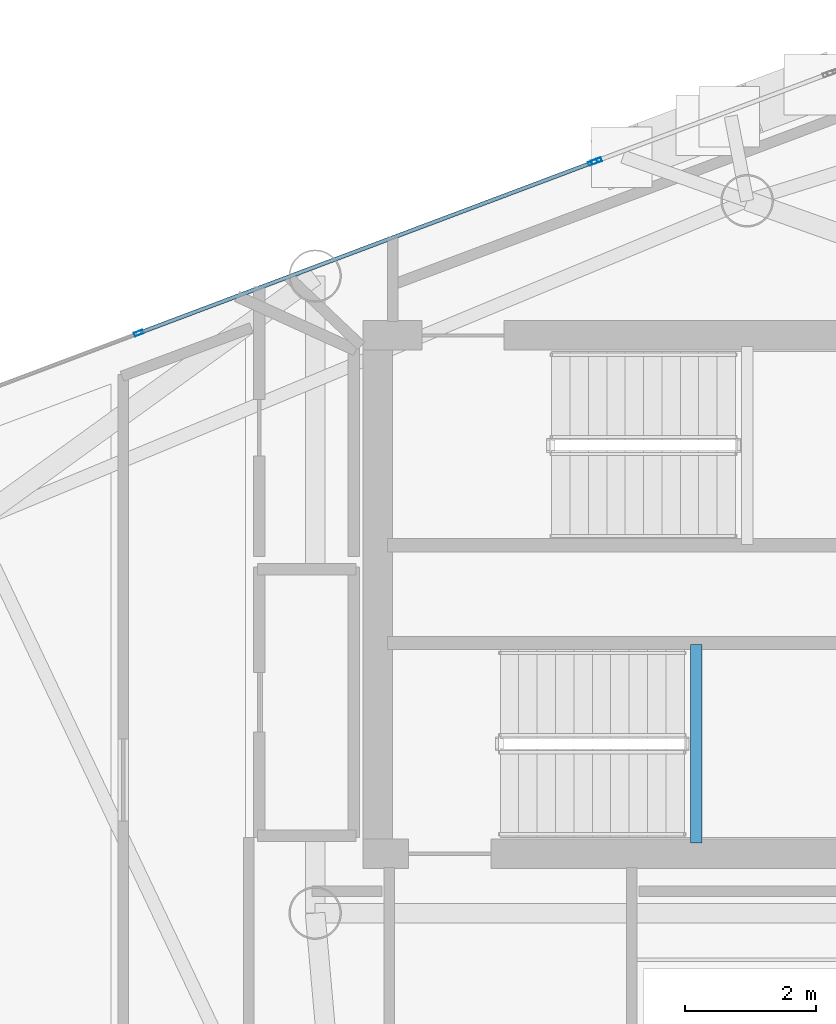
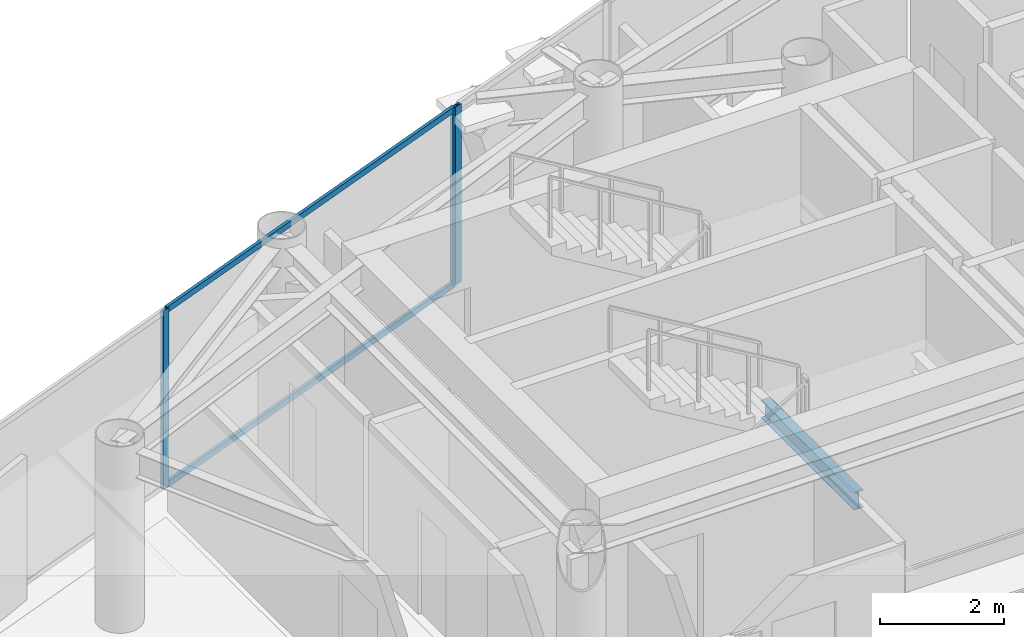
# One storey, part 9 of 19: 5 members, 1 beam, 2 elements without a shape of their own.
"""IFC4 building model written with IfcOpenShell, lengths in metres."""

from ifc_helpers import new_model, si_unit, direction, frame, origin, origin_2d, place, context, subcontext, project, spatial, hollow_rectangle, i_section, extrude, material, layer, layer_set, material_profile, profile_set, type_object, element, aggregate, save


model = new_model("IFC4")

# Units and contexts
model_context = context("Model", 3, precision=1e-05, world=origin(), true_north=direction((0.0, 1.0)))
body_context = subcontext(model_context, "Body", "Model", "MODEL_VIEW")
ifc_project = project(units=[si_unit("LENGTHUNIT", "METRE"), si_unit("AREAUNIT", "SQUARE_METRE"), si_unit("VOLUMEUNIT", "CUBIC_METRE"), si_unit("PLANEANGLEUNIT", "RADIAN"), si_unit("MASSUNIT", "GRAM", prefix="KILO")], contexts=[model_context])

# Site, building, storey
site_placement = place(None, origin())
site = spatial("IfcSite", under=ifc_project, at=site_placement, CompositionType="ELEMENT")
building_placement = place(site_placement, origin())
building = spatial("IfcBuilding", under=site, at=building_placement, Name="Qianvela Tower", CompositionType="ELEMENT")
storey_placement = place(building_placement, frame((0.0, 0.0, 340.699951171875)))
storey = spatial("IfcBuildingStorey", under=building, at=storey_placement, Name="L88", CompositionType="ELEMENT", Elevation=340.699951171875)

# Beam
ifc_material_1 = material(Name="Steel Q355B", Category="steel")
ifc_material_profile_1 = material_profile(ifc_material_1, i_section(OverallWidth=0.175048828125, OverallDepth=0.35009765625, WebThickness=0.007080078125, FlangeThickness=0.010986328125, at=origin_2d()), Name="HN350x175x7x11")
ifc_profile_set_1 = profile_set([ifc_material_profile_1], Name="Steel Q355B")
beam_type = type_object("IfcBeamType", Name="BM-HN350-JOIST", PredefinedType="JOIST", material=ifc_profile_set_1)
beam_placement = place(storey_placement, frame((34.39990234375, 24.919921875, 1.47509765625), z_axis=(0.0, 1.0, 0.0), x_axis=(-1.0, 0.0, 0.0)))
element("IfcBeam", 1, at=beam_placement, inside=storey, type_object=beam_type, Name="L88 Stair ST-2 Landing Support Beam 1.1", PredefinedType="JOIST", context=body_context, shape_type="SweptSolid", body=[
    extrude(i_section(OverallWidth=0.175048828125, OverallDepth=0.35009765625, WebThickness=0.007080078125, FlangeThickness=0.010986328125, at=origin_2d()), origin(), (0.0, 0.0, 1.0), 3.02001953125),
])

# Curtain wall, member
ifc_material_2 = material(Name="Anodised Architectural Aluminium and Insulated Spandrel Panel", Category="aluminium")
ifc_layer_1 = layer(ifc_material_2, 0.179931640625)
ifc_layer_set_1 = layer_set([ifc_layer_1], Name="Anodised Architectural Aluminium and Insulated Spandrel Panel")
curtain_wall_type_1 = type_object("IfcCurtainWallType", Name="CW-BRACEBAY", PredefinedType="USERDEFINED", material=ifc_layer_set_1)
curtain_wall_1_placement = place(storey_placement, origin())
curtain_wall_1 = element("IfcCurtainWall", 2, at=curtain_wall_1_placement, inside=storey, type_object=curtain_wall_type_1, Name="L88 CW-BRACEBAY Curtain Wall 02B", ObjectType="CURTAIN_WALL_SYSTEM", PredefinedType="USERDEFINED")
ifc_material_3 = material(Name="Anodised Architectural Aluminium 6063-T6", Category="aluminium")
ifc_material_profile_2 = material_profile(ifc_material_3, hollow_rectangle(XDim=0.06494140625, YDim=0.159912109375, WallThickness=0.0048828125, at=origin_2d()), Name="ALU-MULL-65x160")
ifc_profile_set_2 = profile_set([ifc_material_profile_2], Name="Anodised Architectural Aluminium 6063-T6")
member_type_1 = type_object("IfcMemberType", Name="CW-BRACEBAY-MULL", PredefinedType="MULLION", material=ifc_profile_set_2)
member_1_placement = place(storey_placement, frame((32.884521484375, 35.30078125, 0.0), z_axis=(0.0, 0.0, 1.0), x_axis=(0.351961679533, -0.93601441022, 0.0)))
member_1 = element("IfcMember", 3, at=member_1_placement, type_object=member_type_1, Name="CW-9 mullion 2", PredefinedType="MULLION", context=body_context, shape_type="SweptSolid", body=[
    extrude(hollow_rectangle(XDim=0.06494140625, YDim=0.159912109375, WallThickness=0.0048828125, at=origin_2d()), origin(), (0.0, 0.0, 1.0), 3.52001953125),
])
aggregate(curtain_wall_1, [member_1])

# Curtain wall, members
ifc_material_4 = material(Name="Anodised Architectural Aluminium and Low-E Glass", Category="aluminium")
ifc_layer_2 = layer(ifc_material_4, 0.14990234375)
ifc_layer_set_2 = layer_set([ifc_layer_2], Name="Anodised Architectural Aluminium and Low-E Glass")
curtain_wall_type_2 = type_object("IfcCurtainWallType", Name="CW-COLIV-Z78", PredefinedType="USERDEFINED", material=ifc_layer_set_2)
curtain_wall_2_placement = place(storey_placement, origin())
curtain_wall_2 = element("IfcCurtainWall", 4, at=curtain_wall_2_placement, inside=storey, type_object=curtain_wall_type_2, Name="L88 CW-COLIV-Z78 Curtain Wall 02C", ObjectType="CURTAIN_WALL_SYSTEM", PredefinedType="USERDEFINED")
ifc_material_5 = material(Name="Anodised Architectural Aluminium 6063-T6", Category="aluminium")
ifc_material_profile_3 = material_profile(ifc_material_5, hollow_rectangle(XDim=0.06005859375, YDim=0.139892578125, WallThickness=0.00439453125, at=origin_2d()), Name="ALU-MULL-60x140")
ifc_profile_set_3 = profile_set([ifc_material_profile_3], Name="Anodised Architectural Aluminium 6063-T6")
member_type_2 = type_object("IfcMemberType", Name="CW-COLIV-Z78-MULL", PredefinedType="MULLION", material=ifc_profile_set_3)
member_2_placement = place(storey_placement, frame((32.826171875, 35.27880859375, 0.0), z_axis=(0.0, 0.0, 1.0), x_axis=(0.351959003477, -0.936015416471, 0.0)))
member_2 = element("IfcMember", 5, at=member_2_placement, type_object=member_type_2, Name="CW-6 mullion 1", PredefinedType="MULLION", context=body_context, shape_type="SweptSolid", body=[
    extrude(hollow_rectangle(XDim=0.06005859375, YDim=0.139892578125, WallThickness=0.00439453125, at=origin_2d()), origin(), (0.0, 0.0, 1.0), 3.52001953125),
])
member_3_placement = place(storey_placement, frame((25.9130859375, 32.67919921875, 0.0), z_axis=(0.0, 0.0, 1.0), x_axis=(0.351959003477, -0.936015416471, 0.0)))
member_3 = element("IfcMember", 6, at=member_3_placement, type_object=member_type_2, Name="CW-6 mullion 2", PredefinedType="MULLION", context=body_context, shape_type="SweptSolid", body=[
    extrude(hollow_rectangle(XDim=0.06005859375, YDim=0.139892578125, WallThickness=0.00439453125, at=origin_2d()), origin(), (0.0, 0.0, 1.0), 3.52001953125),
])
ifc_material_6 = material(Name="Anodised Architectural Aluminium 6063-T6", Category="aluminium")
ifc_material_profile_4 = material_profile(ifc_material_6, hollow_rectangle(XDim=0.06005859375, YDim=0.114990234375, WallThickness=0.00390625, at=origin_2d()), Name="ALU-TRAN-60x115")
ifc_profile_set_4 = profile_set([ifc_material_profile_4], Name="Anodised Architectural Aluminium 6063-T6")
member_type_3 = type_object("IfcMemberType", Name="CW-COLIV-Z78-TRAN", PredefinedType="USERDEFINED", material=ifc_profile_set_4)
member_4_placement = place(storey_placement, frame((32.798095703125, 35.26806640625, 0.030029296875), z_axis=(-0.936024773843, -0.351934117061, 0.0), x_axis=(0.351934117061, -0.936024773843, 0.0)))
member_4 = element("IfcMember", 7, at=member_4_placement, type_object=member_type_3, Name="CW-6 transom 1.1", ObjectType="TRANSOM", PredefinedType="USERDEFINED", context=body_context, shape_type="SweptSolid", body=[
    extrude(hollow_rectangle(XDim=0.06005859375, YDim=0.114990234375, WallThickness=0.00390625, at=origin_2d()), origin(), (0.0, 0.0, 1.0), 7.32568359375),
])
member_5_placement = place(storey_placement, frame((32.798095703125, 35.26806640625, 3.489990234375), z_axis=(-0.936024773843, -0.351934117061, 0.0), x_axis=(0.351934117061, -0.936024773843, 0.0)))
member_5 = element("IfcMember", 8, at=member_5_placement, type_object=member_type_3, Name="CW-6 transom 1.2", ObjectType="TRANSOM", PredefinedType="USERDEFINED", context=body_context, shape_type="SweptSolid", body=[
    extrude(hollow_rectangle(XDim=0.06005859375, YDim=0.114990234375, WallThickness=0.00390625, at=origin_2d()), origin(), (0.0, 0.0, 1.0), 7.32568359375),
])
aggregate(curtain_wall_2, [member_2, member_3, member_4, member_5])

save(model, "model.ifc")
